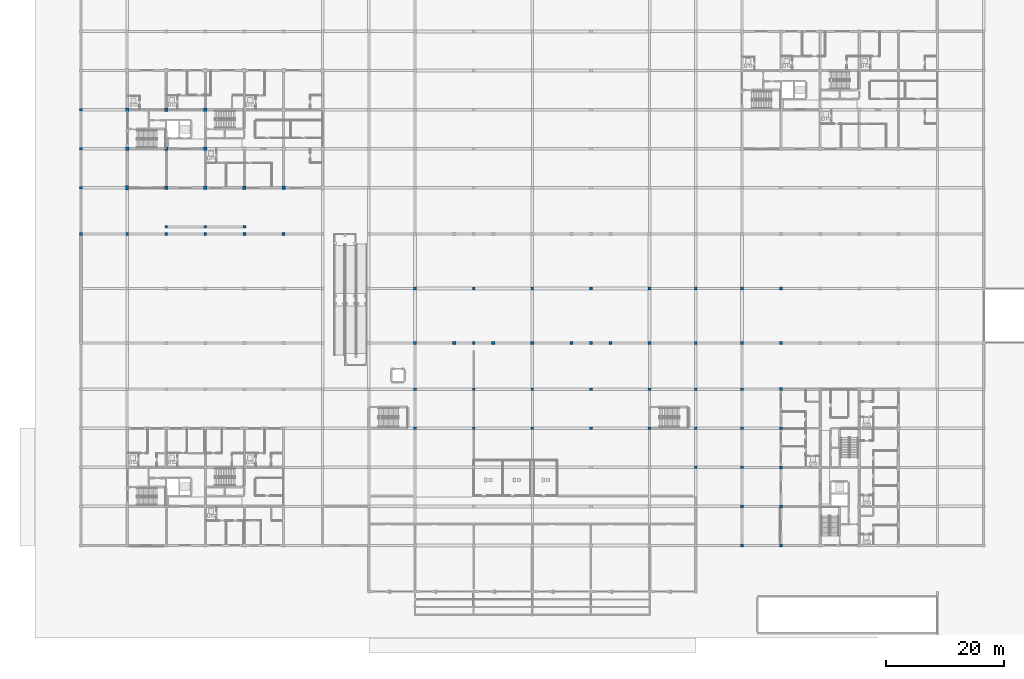
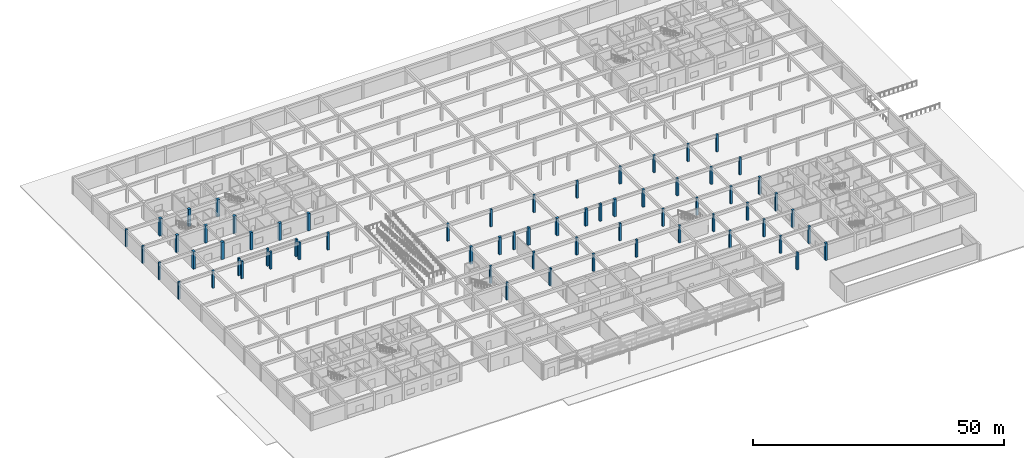
# One storey, part 6 of 75: 66 columns.
"""IFC4 building model written with IfcOpenShell, lengths in metres."""

import ifcopenshell
import ifcopenshell.guid

model = None  # the IFC model being written
_history = None  # IfcOwnerHistory: only IFC2X3 demands one
_inside = {}  # id of a spatial element -> (the spatial element, [elements in it])
_under = {}  # id of a project, library or spatial element -> (it, [spatial elements below it])
_declared = {}  # id of a project -> (the project, [libraries it declares])
_typed = {}  # id of a type object -> (the type object, [elements of that type])
_made_of = {}  # id of a material, layer set ... -> (it, [elements and type objects made of it])


def new_model(schema):
    """Start an empty IFC model of exactly this schema.

    Asked for "IFC4X3", IfcOpenShell would pick the latest addendum, in which some entities
    have other attributes; the version numbers below select the first issue.
    IFC2X3 requires an IfcOwnerHistory on every rooted entity: one is made here for all.
    """
    global model, _history
    if schema == "IFC4X3":
        model = ifcopenshell.file(schema_version=(4, 3, 0, 0))
    else:
        model = ifcopenshell.file(schema=schema)
    _inside.clear()
    _under.clear()
    _declared.clear()
    _typed.clear()
    _made_of.clear()
    _history = None
    if model.schema == "IFC2X3":
        org = make("IfcOrganization", Name="unknown")
        user = make(
            "IfcPersonAndOrganization",
            ThePerson=make("IfcPerson", FamilyName="unknown"),
            TheOrganization=org,
        )
        app = make(
            "IfcApplication",
            ApplicationDeveloper=org,
            Version="unknown",
            ApplicationFullName="unknown",
            ApplicationIdentifier="unknown",
        )
        _history = make(
            "IfcOwnerHistory",
            OwningUser=user,
            OwningApplication=app,
            ChangeAction="ADDED",
            CreationDate=0,
        )
    return model


def make(cls, **values):
    """One entity of the class cls with the attributes given. An attribute that is None is left unset."""
    return model.create_entity(
        cls, **{name: value for name, value in values.items() if value is not None}
    )


def rooted(cls, **values):
    """An entity with a GlobalId (a new one), such as an element, a storey or a relation."""
    return make(cls, GlobalId=ifcopenshell.guid.new(), OwnerHistory=_history, **values)


def si_unit(unit_type, name, prefix=None):
    """IfcSIUnit, for example si_unit("LENGTHUNIT", "METRE", prefix="MILLI")."""
    return make("IfcSIUnit", UnitType=unit_type, Prefix=prefix, Name=name)


def assignment(units):
    """IfcUnitAssignment: the units of a project."""
    return None if units is None else make("IfcUnitAssignment", Units=units)


def point(xyz):
    """IfcCartesianPoint."""
    return None if xyz is None else make("IfcCartesianPoint", Coordinates=xyz)


def direction(xyz):
    """IfcDirection."""
    return None if xyz is None else make("IfcDirection", DirectionRatios=xyz)


def frame(location, z_axis=None, x_axis=None):
    """IfcAxis2Placement3D, a coordinate frame: its origin and axes. An axis left out is left unset."""
    return make(
        "IfcAxis2Placement3D",
        Location=point(location),
        Axis=direction(z_axis),
        RefDirection=direction(x_axis),
    )


def frame_2d(location, x_axis=None):
    """IfcAxis2Placement2D, a coordinate frame in the plane: its origin and x axis."""
    return make(
        "IfcAxis2Placement2D", Location=point(location), RefDirection=direction(x_axis)
    )


def origin():
    """The frame at (0, 0, 0) with its axes left unset."""
    return frame((0.0, 0.0, 0.0))


def origin_2d():
    """The frame at (0, 0) in the plane with its x axis left unset."""
    return frame_2d((0.0, 0.0))


def place(relative_to, where):
    """IfcLocalPlacement: puts the frame where relative to a parent placement (None: the world)."""
    return make(
        "IfcLocalPlacement", PlacementRelTo=relative_to, RelativePlacement=where
    )


def context(
    kind, dimensions, precision=None, world=None, true_north=None, identifier=None
):
    """IfcGeometricRepresentationContext, for example the 3D "Model" context."""
    return make(
        "IfcGeometricRepresentationContext",
        ContextIdentifier=identifier,
        ContextType=kind,
        CoordinateSpaceDimension=dimensions,
        Precision=precision,
        WorldCoordinateSystem=world,
        TrueNorth=true_north,
    )


def subcontext(parent, identifier, kind, view, scale=None):
    """IfcGeometricRepresentationSubContext, for example "Body" below "Model"."""
    return make(
        "IfcGeometricRepresentationSubContext",
        ContextIdentifier=identifier,
        ContextType=kind,
        ParentContext=parent,
        TargetScale=scale,
        TargetView=view,
    )


def project(units=None, contexts=None):
    """IfcProject with its units and contexts."""
    return rooted(
        "IfcProject",
        Name="project",
        RepresentationContexts=contexts,
        UnitsInContext=assignment(units),
    )


def spatial(cls, under=None, at=None, **own):
    """A site, building, storey or space (cls), placed at a placement, below another one or the project."""
    s = rooted(cls, ObjectPlacement=at, **own)
    if under is not None:
        _under.setdefault(under.id(), (under, []))[1].append(s)
    return s


def profile(cls, at=None, kind="AREA", **sizes):
    """A parametric profile (cls). Its sizes go by their IFC names, for example OverallWidth=200.0."""
    return make(cls, ProfileType=kind, Position=at, **sizes)


def rectangle(**sizes):
    """IfcRectangleProfileDef."""
    return profile("IfcRectangleProfileDef", **sizes)


def extrude(swept, where, along, depth):
    """IfcExtrudedAreaSolid: the profile swept, set in the frame where, extruded along a direction by depth."""
    return make(
        "IfcExtrudedAreaSolid",
        SweptArea=swept,
        Position=where,
        ExtrudedDirection=direction(along),
        Depth=depth,
    )


def shape(context_of_items, identifier, shape_type, items):
    """IfcShapeRepresentation: the items that make up one representation, for example the "Body"."""
    return make(
        "IfcShapeRepresentation",
        ContextOfItems=context_of_items,
        RepresentationIdentifier=identifier,
        RepresentationType=shape_type,
        Items=items,
    )


def material(Name=None, Category=None):
    """IfcMaterial."""
    return make("IfcMaterial", Name=Name, Category=Category)


def material_profile(
    of_material, cross_section, Name=None, Category=None, Priority=None
):
    """IfcMaterialProfile: a cross section and its material."""
    return make(
        "IfcMaterialProfile",
        Name=Name,
        Material=of_material,
        Profile=cross_section,
        Priority=Priority,
        Category=Category,
    )


def profile_set(profiles, Name=None, composite=None):
    """IfcMaterialProfileSet."""
    return make(
        "IfcMaterialProfileSet",
        Name=Name,
        MaterialProfiles=profiles,
        CompositeProfile=composite,
    )


def made_of(thing, what):
    """Note that an element or type object is made of a material, layer set ...; save() writes the relation."""
    if what is not None:
        _made_of.setdefault(what.id(), (what, []))[1].append(thing)
    return thing


def type_object(cls, material=None, **own):
    """A type object (cls), such as IfcWallType, which elements share."""
    return made_of(rooted(cls, **own), material)


def element(
    cls,
    number,
    at=None,
    inside=None,
    cuts=None,
    type_object=None,
    material=None,
    context=None,
    identifier="Body",
    shape_type=None,
    held_by="IfcProductDefinitionShape",
    body=None,
    shapes=None,
    **own,
):
    """One element of the class cls, such as IfcWall. Its Tag is "e" and its number.

    at: its placement. inside: the storey or other place that contains it. cuts: it is an
    opening in that element (IfcRelVoidsElement). A single representation is given by context,
    identifier, shape_type and body (its items); several are given by shapes. held_by: the class
    of the entity that holds the representations. save() writes the other relations.
    """
    e = rooted(cls, Tag="e%d" % number, ObjectPlacement=at, **own)
    if body is not None:
        shapes = [shape(context, identifier, shape_type, body)]
    if shapes is not None:
        e.Representation = make(held_by, Representations=shapes)
    if inside is not None:
        _inside.setdefault(inside.id(), (inside, []))[1].append(e)
    if cuts is not None:
        rooted(
            "IfcRelVoidsElement", RelatingBuildingElement=cuts, RelatedOpeningElement=e
        )
    if type_object is not None:
        _typed.setdefault(type_object.id(), (type_object, []))[1].append(e)
    return made_of(e, material)


def aggregate(whole, parts):
    """IfcRelAggregates: a whole, such as a stair, and the parts it consists of."""
    return rooted("IfcRelAggregates", RelatingObject=whole, RelatedObjects=parts)


def save(model, path):
    """Write the relations noted so far, then the file.

    IfcRelAggregates (storeys below a building ...), IfcRelContainedInSpatialStructure (elements
    in a storey), IfcRelDefinesByType, IfcRelAssociatesMaterial and IfcRelDeclares: one each for
    every whole, place, type object, material and project.
    """
    for whole, parts in _under.values():
        aggregate(whole, parts)
    for where, things in _inside.values():
        rooted(
            "IfcRelContainedInSpatialStructure",
            RelatedElements=things,
            RelatingStructure=where,
        )
    for kind, things in _typed.values():
        rooted("IfcRelDefinesByType", RelatedObjects=things, RelatingType=kind)
    for what, things in _made_of.values():
        rooted("IfcRelAssociatesMaterial", RelatedObjects=things, RelatingMaterial=what)
    for by, libraries in _declared.values():
        rooted("IfcRelDeclares", RelatingContext=by, RelatedDefinitions=libraries)
    model.write(path)


model = new_model("IFC4")

# Units and contexts
model_context = context("Model", 3, precision=1e-05, world=origin(), true_north=direction((0.0, 1.0)))
body_context = subcontext(model_context, "Body", "Model", "MODEL_VIEW")
ifc_project = project(units=[si_unit("LENGTHUNIT", "METRE"), si_unit("AREAUNIT", "SQUARE_METRE"), si_unit("VOLUMEUNIT", "CUBIC_METRE"), si_unit("PLANEANGLEUNIT", "RADIAN"), si_unit("MASSUNIT", "GRAM", prefix="KILO")], contexts=[model_context])

# Site, building, storey
site_placement = place(None, origin())
site = spatial("IfcSite", under=ifc_project, at=site_placement, CompositionType="ELEMENT")
building_placement = place(site_placement, origin())
building = spatial("IfcBuilding", under=site, at=building_placement, Name="Kernevlak Ridge Housing Community", CompositionType="ELEMENT")
storey_placement = place(building_placement, origin())
storey = spatial("IfcBuildingStorey", under=building, at=storey_placement, Name="L00", CompositionType="ELEMENT", Elevation=0.0)

# Columns
ifc_material_1 = material(Name="Concrete C40/50", Category="concrete")
ifc_material_profile_1 = material_profile(ifc_material_1, rectangle(XDim=0.60009765625, YDim=0.60009765625, at=origin_2d()), Name="RC 600x600")
ifc_profile_set_1 = profile_set([ifc_material_profile_1], Name="Concrete C40/50")
column_type_1 = type_object("IfcColumnType", Name="C-01", PredefinedType="COLUMN", material=ifc_profile_set_1)
for number, where, z_axis, x_axis, name in (
    (1, (15.60009765625, 82.60009765625, 0.0), (0.0, 0.0, 1.0), (1.0, 0.0, 0.0), "Column C-01 COL-A-L00-00-1"),
    (2, (15.60009765625, 89.199951171875, 0.0), (0.0, 0.0, 1.0), (1.0, 0.0, 0.0), "Column C-01 COL-A-L00-00-2"),
    (3, (22.199951171875, 76.0, 0.0), (0.0, 0.0, 1.0), (1.0, 0.0, 0.0), "Column C-01 COL-A-L00-01-0"),
    (4, (22.199951171875, 82.60009765625, 0.0), (0.0, 0.0, 1.0), (1.0, 0.0, 0.0), "Column C-01 COL-A-L00-01-1"),
    (5, (22.199951171875, 89.199951171875, 0.0), (0.0, 0.0, 1.0), (1.0, 0.0, 0.0), "Column C-01 COL-A-L00-01-2"),
    (6, (28.800048828125, 76.0, 0.0), (0.0, 0.0, 1.0), (1.0, 0.0, 0.0), "Column C-01 COL-A-L00-02-0"),
    (7, (28.800048828125, 82.60009765625, 0.0), (0.0, 0.0, 1.0), (1.0, 0.0, 0.0), "Column C-01 COL-A-L00-02-1"),
    (8, (28.800048828125, 89.199951171875, 0.0), (0.0, 0.0, 1.0), (1.0, 0.0, 0.0), "Column C-01 COL-A-L00-02-2"),
    (9, (35.39990234375, 76.0, 0.0), (0.0, 0.0, 1.0), (1.0, 0.0, 0.0), "Column C-01 COL-A-L00-03-0"),
    (10, (42.0, 76.0, 0.0), (0.0, 0.0, 1.0), (1.0, 0.0, 0.0), "Column C-01 COL-A-L00-04-0"),
):
    element("IfcColumn", number, at=place(storey_placement, frame(where, z_axis=z_axis, x_axis=x_axis)), inside=storey, type_object=column_type_1, Name=name, PredefinedType="COLUMN", context=body_context, shape_type="SweptSolid", body=[
        extrude(rectangle(XDim=0.60009765625, YDim=0.60009765625, at=origin_2d()), origin(), (0.0, 0.0, 1.0), 4.199951171875),
    ])
ifc_material_profile_2 = material_profile(ifc_material_1, rectangle(XDim=0.550048828125, YDim=0.550048828125, at=origin_2d()), Name="RC 550x550")
ifc_profile_set_2 = profile_set([ifc_material_profile_2], Name="Concrete C40/50")
column_type_2 = type_object("IfcColumnType", Name="C-02", PredefinedType="COLUMN", material=ifc_profile_set_2)
for number, where, z_axis, x_axis, name in (
    (11, (64.199951171875, 49.800048828125, 0.0), (0.0, 0.0, 1.0), (1.0, 0.0, 0.0), "Column C-02 COL-HALL-L00-0-0"),
    (12, (70.800048828125, 49.800048828125, 0.0), (0.0, 0.0, 1.0), (1.0, 0.0, 0.0), "Column C-02 COL-HALL-L00-1-0"),
    (13, (77.39990234375, 49.800048828125, 0.0), (0.0, 0.0, 1.0), (1.0, 0.0, 0.0), "Column C-02 COL-HALL-L00-2-0"),
    (14, (84.0, 49.800048828125, 0.0), (0.0, 0.0, 1.0), (1.0, 0.0, 0.0), "Column C-02 COL-HALL-L00-3-0"),
    (15, (90.60009765625, 49.800048828125, 0.0), (0.0, 0.0, 1.0), (1.0, 0.0, 0.0), "Column C-02 COL-HALL-L00-4-0"),
    (16, (97.199951171875, 49.800048828125, 0.0), (0.0, 0.0, 1.0), (1.0, 0.0, 0.0), "Column C-02 COL-HALL-L00-5-0"),
    (17, (103.800048828125, 49.800048828125, 0.0), (0.0, 0.0, 1.0), (1.0, 0.0, 0.0), "Column C-02 COL-HALL-L00-6-0"),
):
    element("IfcColumn", number, at=place(storey_placement, frame(where, z_axis=z_axis, x_axis=x_axis)), inside=storey, type_object=column_type_2, Name=name, PredefinedType="COLUMN", context=body_context, shape_type="SweptSolid", body=[
        extrude(rectangle(XDim=0.550048828125, YDim=0.550048828125, at=origin_2d()), origin(), (0.0, 0.0, 1.0), 4.199951171875),
    ])
ifc_material_profile_3 = material_profile(ifc_material_1, rectangle(XDim=0.5, YDim=0.5, at=origin_2d()), Name="RC 500x500")
ifc_profile_set_3 = profile_set([ifc_material_profile_3], Name="Concrete C40/50")
column_type_3 = type_object("IfcColumnType", Name="C-03", PredefinedType="COLUMN", material=ifc_profile_set_3)
for number, where, z_axis, x_axis, name in (
    (18, (126.0, 15.60009765625, 0.0), (0.0, 0.0, 1.0), (1.0, 0.0, 0.0), "Column C-03 COL-C-L00-00-0"),
    (19, (126.0, 22.199951171875, 0.0), (0.0, 0.0, 1.0), (1.0, 0.0, 0.0), "Column C-03 COL-C-L00-01-0"),
    (20, (126.0, 28.800048828125, 0.0), (0.0, 0.0, 1.0), (1.0, 0.0, 0.0), "Column C-03 COL-C-L00-02-0"),
    (21, (126.0, 35.39990234375, 0.0), (0.0, 0.0, 1.0), (1.0, 0.0, 0.0), "Column C-03 COL-C-L00-03-0"),
    (22, (126.0, 42.0, 0.0), (0.0, 0.0, 1.0), (1.0, 0.0, 0.0), "Column C-03 COL-C-L00-04-0"),
):
    element("IfcColumn", number, at=place(storey_placement, frame(where, z_axis=z_axis, x_axis=x_axis)), inside=storey, type_object=column_type_3, Name=name, PredefinedType="COLUMN", context=body_context, shape_type="SweptSolid", body=[
        extrude(rectangle(XDim=0.5, YDim=0.5, at=origin_2d()), origin(), (0.0, 0.0, 1.0), 4.199951171875),
    ])
ifc_material_2 = material(Name="Concrete C35/45", Category="concrete")
ifc_material_profile_4 = material_profile(ifc_material_2, rectangle(XDim=0.449951171875, YDim=0.449951171875, at=origin_2d()), Name="RC 450x450")
ifc_profile_set_4 = profile_set([ifc_material_profile_4], Name="Concrete C35/45")
column_type_4 = type_object("IfcColumnType", Name="C-04", PredefinedType="COLUMN", material=ifc_profile_set_4)
for number, where, z_axis, x_axis, name in (
    (23, (7.800048828125, 68.199951171875, 0.0), (0.0, 0.0, 1.0), (1.0, 0.0, 0.0), "Column C-04 COL-POD-L00-026"),
    (24, (7.800048828125, 76.0, 0.0), (0.0, 0.0, 1.0), (1.0, 0.0, 0.0), "Column C-04 COL-POD-L00-027"),
    (25, (7.800048828125, 82.60009765625, 0.0), (0.0, 0.0, 1.0), (1.0, 0.0, 0.0), "Column C-04 COL-POD-L00-028"),
    (26, (7.800048828125, 89.199951171875, 0.0), (0.0, 0.0, 1.0), (1.0, 0.0, 0.0), "Column C-04 COL-POD-L00-029"),
    (27, (15.60009765625, 68.199951171875, 0.0), (0.0, 0.0, 1.0), (1.0, 0.0, 0.0), "Column C-04 COL-POD-L00-039"),
    (28, (22.199951171875, 68.199951171875, 0.0), (0.0, 0.0, 1.0), (1.0, 0.0, 0.0), "Column C-04 COL-POD-L00-048"),
    (29, (28.800048828125, 68.199951171875, 0.0), (0.0, 0.0, 1.0), (1.0, 0.0, 0.0), "Column C-04 COL-POD-L00-057"),
    (30, (35.39990234375, 68.199951171875, 0.0), (0.0, 0.0, 1.0), (1.0, 0.0, 0.0), "Column C-04 COL-POD-L00-066"),
    (31, (42.0, 68.199951171875, 0.0), (0.0, 0.0, 1.0), (1.0, 0.0, 0.0), "Column C-04 COL-POD-L00-075"),
    (32, (64.199951171875, 35.39990234375, 0.0), (0.0, 0.0, 1.0), (1.0, 0.0, 0.0), "Column C-04 COL-POD-L00-114"),
    (33, (64.199951171875, 42.0, 0.0), (0.0, 0.0, 1.0), (1.0, 0.0, 0.0), "Column C-04 COL-POD-L00-115"),
    (34, (64.199951171875, 59.0, 0.0), (0.0, 0.0, 1.0), (1.0, 0.0, 0.0), "Column C-04 COL-POD-L00-117"),
    (35, (74.10009765625, 35.39990234375, 0.0), (0.0, 0.0, 1.0), (1.0, 0.0, 0.0), "Column C-04 COL-POD-L00-131"),
    (36, (74.10009765625, 42.0, 0.0), (0.0, 0.0, 1.0), (1.0, 0.0, 0.0), "Column C-04 COL-POD-L00-132"),
    (37, (74.10009765625, 49.800048828125, 0.0), (0.0, 0.0, 1.0), (1.0, 0.0, 0.0), "Column C-04 COL-POD-L00-133"),
    (38, (74.10009765625, 59.0, 0.0), (0.0, 0.0, 1.0), (1.0, 0.0, 0.0), "Column C-04 COL-POD-L00-134"),
    (39, (84.0, 35.39990234375, 0.0), (0.0, 0.0, 1.0), (1.0, 0.0, 0.0), "Column C-04 COL-POD-L00-148"),
    (40, (84.0, 42.0, 0.0), (0.0, 0.0, 1.0), (1.0, 0.0, 0.0), "Column C-04 COL-POD-L00-149"),
    (41, (84.0, 59.0, 0.0), (0.0, 0.0, 1.0), (1.0, 0.0, 0.0), "Column C-04 COL-POD-L00-151"),
    (42, (93.89990234375, 35.39990234375, 0.0), (0.0, 0.0, 1.0), (1.0, 0.0, 0.0), "Column C-04 COL-POD-L00-165"),
    (43, (93.89990234375, 42.0, 0.0), (0.0, 0.0, 1.0), (1.0, 0.0, 0.0), "Column C-04 COL-POD-L00-166"),
    (44, (93.89990234375, 49.800048828125, 0.0), (0.0, 0.0, 1.0), (1.0, 0.0, 0.0), "Column C-04 COL-POD-L00-167"),
    (45, (93.89990234375, 59.0, 0.0), (0.0, 0.0, 1.0), (1.0, 0.0, 0.0), "Column C-04 COL-POD-L00-168"),
    (46, (103.800048828125, 35.39990234375, 0.0), (0.0, 0.0, 1.0), (1.0, 0.0, 0.0), "Column C-04 COL-POD-L00-182"),
    (47, (103.800048828125, 42.0, 0.0), (0.0, 0.0, 1.0), (1.0, 0.0, 0.0), "Column C-04 COL-POD-L00-183"),
    (48, (103.800048828125, 59.0, 0.0), (0.0, 0.0, 1.0), (1.0, 0.0, 0.0), "Column C-04 COL-POD-L00-185"),
    (49, (111.60009765625, 28.800048828125, 0.0), (0.0, 0.0, 1.0), (1.0, 0.0, 0.0), "Column C-04 COL-POD-L00-198"),
    (50, (111.60009765625, 35.39990234375, 0.0), (0.0, 0.0, 1.0), (1.0, 0.0, 0.0), "Column C-04 COL-POD-L00-199"),
    (51, (111.60009765625, 42.0, 0.0), (0.0, 0.0, 1.0), (1.0, 0.0, 0.0), "Column C-04 COL-POD-L00-200"),
    (52, (111.60009765625, 49.800048828125, 0.0), (0.0, 0.0, 1.0), (1.0, 0.0, 0.0), "Column C-04 COL-POD-L00-201"),
    (53, (111.60009765625, 59.0, 0.0), (0.0, 0.0, 1.0), (1.0, 0.0, 0.0), "Column C-04 COL-POD-L00-202"),
    (54, (119.39990234375, 15.60009765625, 0.0), (0.0, 0.0, 1.0), (1.0, 0.0, 0.0), "Column C-04 COL-POD-L00-213"),
    (55, (119.39990234375, 22.199951171875, 0.0), (0.0, 0.0, 1.0), (1.0, 0.0, 0.0), "Column C-04 COL-POD-L00-214"),
    (56, (119.39990234375, 28.800048828125, 0.0), (0.0, 0.0, 1.0), (1.0, 0.0, 0.0), "Column C-04 COL-POD-L00-215"),
    (57, (119.39990234375, 35.39990234375, 0.0), (0.0, 0.0, 1.0), (1.0, 0.0, 0.0), "Column C-04 COL-POD-L00-216"),
    (58, (119.39990234375, 42.0, 0.0), (0.0, 0.0, 1.0), (1.0, 0.0, 0.0), "Column C-04 COL-POD-L00-217"),
    (59, (119.39990234375, 49.800048828125, 0.0), (0.0, 0.0, 1.0), (1.0, 0.0, 0.0), "Column C-04 COL-POD-L00-218"),
    (60, (119.39990234375, 59.0, 0.0), (0.0, 0.0, 1.0), (1.0, 0.0, 0.0), "Column C-04 COL-POD-L00-219"),
    (61, (126.0, 49.800048828125, 0.0), (0.0, 0.0, 1.0), (1.0, 0.0, 0.0), "Column C-04 COL-POD-L00-226"),
    (62, (126.0, 59.0, 0.0), (0.0, 0.0, 1.0), (1.0, 0.0, 0.0), "Column C-04 COL-POD-L00-227"),
    (63, (22.199951171875, 69.39990234375, 0.0), (0.0, 0.0, 1.0), (1.0, 0.0, 0.0), "Column C-04 COL-POD-L00-303"),
    (64, (28.800048828125, 69.39990234375, 0.0), (0.0, 0.0, 1.0), (1.0, 0.0, 0.0), "Column C-04 COL-POD-L00-304"),
    (65, (35.39990234375, 69.39990234375, 0.0), (0.0, 0.0, 1.0), (1.0, 0.0, 0.0), "Column C-04 COL-POD-L00-305"),
):
    element("IfcColumn", number, at=place(storey_placement, frame(where, z_axis=z_axis, x_axis=x_axis)), inside=storey, type_object=column_type_4, Name=name, PredefinedType="COLUMN", context=body_context, shape_type="SweptSolid", body=[
        extrude(rectangle(XDim=0.449951171875, YDim=0.449951171875, at=origin_2d()), origin(), (0.0, 0.0, 1.0), 4.199951171875),
    ])
ifc_material_profile_5 = material_profile(ifc_material_1, rectangle(XDim=0.5, YDim=0.75, at=origin_2d()), Name="RC 500x750")
ifc_profile_set_5 = profile_set([ifc_material_profile_5], Name="Concrete C40/50")
column_type_5 = type_object("IfcColumnType", Name="C-07", PredefinedType="COLUMN", material=ifc_profile_set_5)
column_placement = place(storey_placement, frame((15.60009765625, 76.0, 0.0), z_axis=(0.0, 0.0, 1.0), x_axis=(1.0, 0.0, 0.0)))
element("IfcColumn", 66, at=column_placement, inside=storey, type_object=column_type_5, Name="Column C-07 COL-A-L00-00-0", PredefinedType="COLUMN", context=body_context, shape_type="SweptSolid", body=[
    extrude(rectangle(XDim=0.5, YDim=0.75, at=origin_2d()), origin(), (0.0, 0.0, 1.0), 4.199951171875),
])

save(model, "model.ifc")
